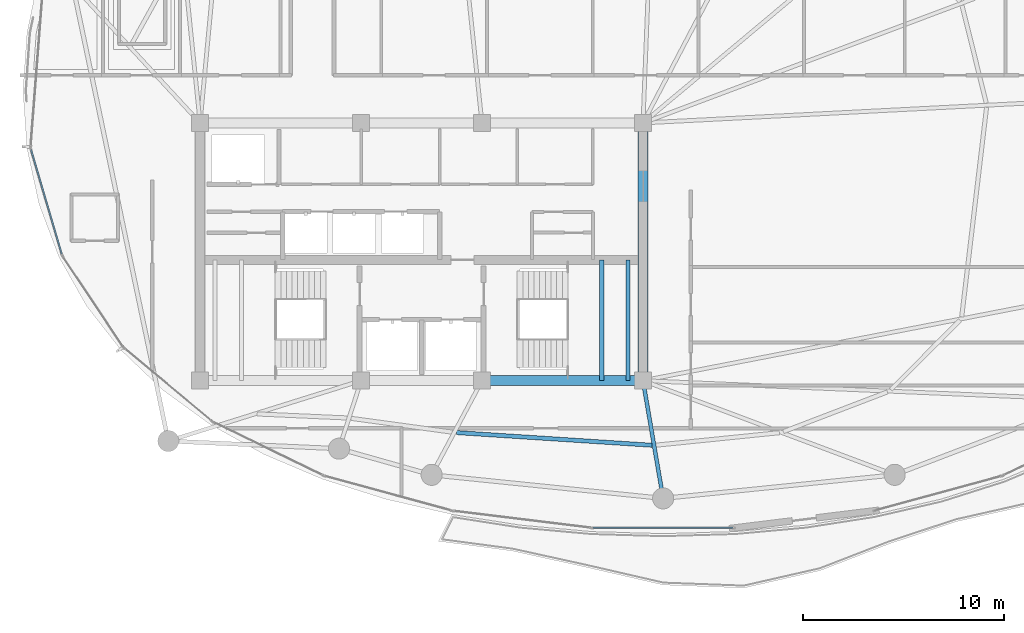
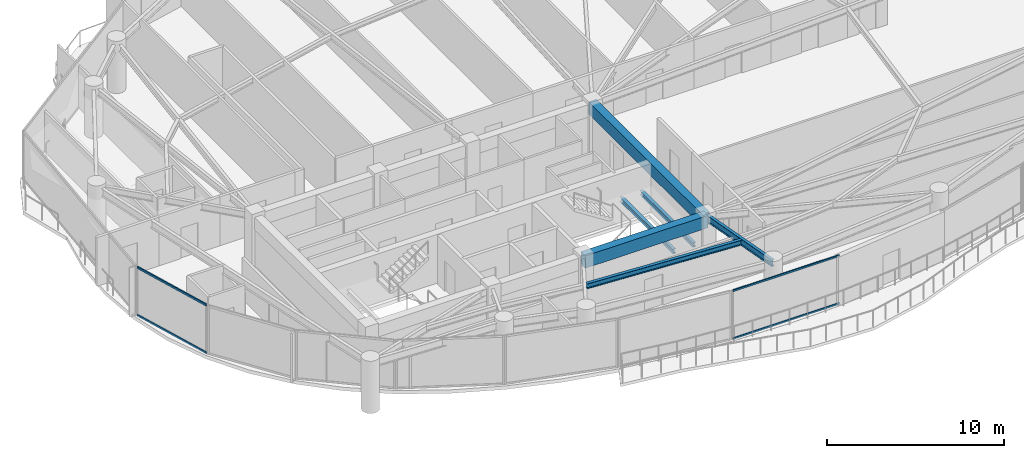
# One storey, part 7 of 31: 6 beams, 4 members, 2 elements without a shape of their own.
"""IFC4 building model written with IfcOpenShell, lengths in metres."""

from ifc_helpers import new_model, si_unit, direction, frame, origin, origin_2d, place, context, subcontext, project, spatial, rectangle, hollow_rectangle, i_section, extrude, material, layer, layer_set, material_profile, profile_set, type_object, element, aggregate, save


model = new_model("IFC4")

# Units and contexts
model_context = context("Model", 3, precision=1e-05, world=origin(), true_north=direction((0.0, 1.0)))
body_context = subcontext(model_context, "Body", "Model", "MODEL_VIEW")
ifc_project = project(units=[si_unit("LENGTHUNIT", "METRE"), si_unit("AREAUNIT", "SQUARE_METRE"), si_unit("VOLUMEUNIT", "CUBIC_METRE"), si_unit("PLANEANGLEUNIT", "RADIAN"), si_unit("MASSUNIT", "GRAM", prefix="KILO")], contexts=[model_context])

# Site, building, storey
site_placement = place(None, origin())
site = spatial("IfcSite", under=ifc_project, at=site_placement, CompositionType="ELEMENT")
building_placement = place(site_placement, origin())
building = spatial("IfcBuilding", under=site, at=building_placement, Name="Kazevale Care Tower and Concert Hall", CompositionType="ELEMENT")
storey_placement = place(building_placement, frame((0.0, 0.0, 202.800048828125)))
storey = spatial("IfcBuildingStorey", under=building, at=storey_placement, Name="L53", CompositionType="ELEMENT", Elevation=202.800048828125)

# Curtain wall, members
ifc_material_1 = material(Name="Aluminium 6063-T6 and Low-E Glass", Category="aluminium")
ifc_layer_1 = layer(ifc_material_1, 0.179931640625)
ifc_layer_set_1 = layer_set([ifc_layer_1], Name="Aluminium 6063-T6 and Low-E Glass")
curtain_wall_type_1 = type_object("IfcCurtainWallType", Name="Waist & Upper Residential Curtain Wall CW-4", PredefinedType="NOTDEFINED", material=ifc_layer_set_1)
curtain_wall_1_placement = place(storey_placement, origin())
curtain_wall_1 = element("IfcCurtainWall", 1, at=curtain_wall_1_placement, inside=storey, type_object=curtain_wall_type_1, Name="cw:L53:f12", PredefinedType="NOTDEFINED")
ifc_material_2 = material(Name="Aluminium 6063-T6", Category="aluminium")
ifc_material_profile_1 = material_profile(ifc_material_2, hollow_rectangle(XDim=0.080078125, YDim=0.139892578125, WallThickness=0.00390625, at=origin_2d()), Name="ALU80x140x4")
ifc_profile_set_1 = profile_set([ifc_material_profile_1], Name="Aluminium 6063-T6")
member_type_1 = type_object("IfcMemberType", Name="CW-4 Transom ALU80x140x4", PredefinedType="USERDEFINED", material=ifc_profile_set_1)
member_1_placement = place(storey_placement, frame((15.12548828125, 29.897705078125, 0.0400390625), z_axis=(-0.282102705943, 0.95938421047, 0.0), x_axis=(-0.95938421047, -0.282102705943, 0.0)))
member_1 = element("IfcMember", 2, at=member_1_placement, type_object=member_type_1, Name="CW-4 transom 1.1", ObjectType="TRANSOM", PredefinedType="USERDEFINED", context=body_context, shape_type="SweptSolid", body=[
    extrude(hollow_rectangle(XDim=0.080078125, YDim=0.139892578125, WallThickness=0.00390625, at=origin_2d()), origin(), (0.0, 0.0, 1.0), 5.402099609375),
])
member_2_placement = place(storey_placement, frame((15.12548828125, 29.897705078125, 3.320068359375), z_axis=(-0.282102705943, 0.95938421047, 0.0), x_axis=(-0.95938421047, -0.282102705943, 0.0)))
member_2 = element("IfcMember", 3, at=member_2_placement, type_object=member_type_1, Name="CW-4 transom 1.2", ObjectType="TRANSOM", PredefinedType="USERDEFINED", context=body_context, shape_type="SweptSolid", body=[
    extrude(hollow_rectangle(XDim=0.080078125, YDim=0.139892578125, WallThickness=0.00390625, at=origin_2d()), origin(), (0.0, 0.0, 1.0), 5.402099609375),
])
aggregate(curtain_wall_1, [member_1, member_2])

ifc_layer_2 = layer(ifc_material_1, 0.179931640625)
ifc_layer_set_2 = layer_set([ifc_layer_2], Name="Aluminium 6063-T6 and Low-E Glass")
curtain_wall_type_2 = type_object("IfcCurtainWallType", Name="Sheltered Concave Balcony Curtain Wall CW-5", PredefinedType="NOTDEFINED", material=ifc_layer_set_2)
curtain_wall_2_placement = place(storey_placement, origin())
curtain_wall_2 = element("IfcCurtainWall", 4, at=curtain_wall_2_placement, inside=storey, type_object=curtain_wall_type_2, Name="cw:L53:f06", PredefinedType="NOTDEFINED")
ifc_material_profile_2 = material_profile(ifc_material_2, hollow_rectangle(XDim=0.074951171875, YDim=0.1201171875, WallThickness=0.00390625, at=origin_2d()), Name="ALU75x120x4")
ifc_profile_set_2 = profile_set([ifc_material_profile_2], Name="Aluminium 6063-T6")
member_type_2 = type_object("IfcMemberType", Name="CW-5 Transom ALU75x120x4", PredefinedType="USERDEFINED", material=ifc_profile_set_2)
member_3_placement = place(storey_placement, frame((48.47509765625, 16.284912109375, 0.037353515625), z_axis=(-1.0, 0.0, 0.0), x_axis=(0.0, -1.0, 0.0)))
member_3 = element("IfcMember", 5, at=member_3_placement, type_object=member_type_2, Name="CW-5 transom 1.1", ObjectType="TRANSOM", PredefinedType="USERDEFINED", context=body_context, shape_type="SweptSolid", body=[
    extrude(hollow_rectangle(XDim=0.074951171875, YDim=0.1201171875, WallThickness=0.00390625, at=origin_2d()), origin(), (0.0, 0.0, 1.0), 6.9501953125),
])
member_4_placement = place(storey_placement, frame((48.47509765625, 16.284912109375, 3.322509765625), z_axis=(-1.0, 0.0, 0.0), x_axis=(0.0, -1.0, 0.0)))
member_4 = element("IfcMember", 6, at=member_4_placement, type_object=member_type_2, Name="CW-5 transom 1.2", ObjectType="TRANSOM", PredefinedType="USERDEFINED", context=body_context, shape_type="SweptSolid", body=[
    extrude(hollow_rectangle(XDim=0.074951171875, YDim=0.1201171875, WallThickness=0.00390625, at=origin_2d()), origin(), (0.0, 0.0, 1.0), 6.9501953125),
])
aggregate(curtain_wall_2, [member_3, member_4])

# Beams
ifc_material_3 = material(Name="Concrete C60", Category="concrete")
ifc_material_profile_3 = material_profile(ifc_material_3, rectangle(XDim=0.5, YDim=0.85009765625, at=origin_2d()), Name="RC-B500x850")
ifc_profile_set_3 = profile_set([ifc_material_profile_3], Name="Concrete C60")
beam_type_1 = type_object("IfcBeamType", Name="Core Coupling Beam RC500x850", PredefinedType="LINTEL", material=ifc_profile_set_3)
beam_1_placement = place(storey_placement, frame((36.0, 23.60009765625, 2.93505859375), z_axis=(1.0, 0.0, 0.0), x_axis=(0.0, 1.0, 0.0)))
element("IfcBeam", 7, at=beam_1_placement, inside=storey, type_object=beam_type_1, Name="beam:L53:coretie:3", PredefinedType="LINTEL", context=body_context, shape_type="SweptSolid", body=[
    extrude(rectangle(XDim=0.5, YDim=0.85009765625, at=origin_2d()), origin(), (0.0, 0.0, 1.0), 8.0),
])
beam_2_placement = place(storey_placement, frame((44.0, 23.60009765625, 2.93505859375), z_axis=(0.0, 1.0, 0.0), x_axis=(-1.0, 0.0, 0.0)))
element("IfcBeam", 8, at=beam_2_placement, inside=storey, type_object=beam_type_1, Name="beam:L53:coretie:4", PredefinedType="LINTEL", context=body_context, shape_type="SweptSolid", body=[
    extrude(rectangle(XDim=0.5, YDim=0.85009765625, at=origin_2d()), origin(), (0.0, 0.0, 1.0), 12.7998046875),
])
ifc_material_4 = material(Name="Steel ASTM A572 Gr 50", Category="steel")
ifc_material_profile_4 = material_profile(ifc_material_4, i_section(OverallWidth=0.19091796875, OverallDepth=0.4599609375, WebThickness=0.010009765625, FlangeThickness=0.01611328125, at=origin_2d()), Name="W460x82")
ifc_profile_set_4 = profile_set([ifc_material_profile_4], Name="Steel ASTM A572 Gr 50")
beam_type_2 = type_object("IfcBeamType", Name="Radial Floor Beam W460x82", PredefinedType="BEAM", material=ifc_profile_set_4)
beam_3_placement = place(storey_placement, frame((44.0, 23.60009765625, 3.1298828125), z_axis=(0.168493389607, -0.985702783631, 0.0), x_axis=(0.985702783631, 0.168493389607, 0.0)))
element("IfcBeam", 9, at=beam_3_placement, inside=storey, type_object=beam_type_2, Name="beam:L53:rad:13", PredefinedType="BEAM", context=body_context, shape_type="SweptSolid", body=[
    extrude(i_section(OverallWidth=0.19091796875, OverallDepth=0.4599609375, WebThickness=0.010009765625, FlangeThickness=0.01611328125, at=origin_2d()), origin(), (0.0, 0.0, 1.0), 5.93505859375),
])
ifc_material_profile_5 = material_profile(ifc_material_4, i_section(OverallWidth=0.205078125, OverallDepth=0.35400390625, WebThickness=0.009521484375, FlangeThickness=0.016845703125, at=origin_2d()), Name="W360x79")
ifc_profile_set_5 = profile_set([ifc_material_profile_5], Name="Steel ASTM A572 Gr 50")
beam_type_3 = type_object("IfcBeamType", Name="Secondary Floor Joist W360x79", PredefinedType="JOIST", material=ifc_profile_set_5)
beam_4_placement = place(storey_placement, frame((34.72998046875, 21.01904296875, 3.182861328125), z_axis=(0.997903161374, -0.064724651559, 0.0), x_axis=(0.064724651559, 0.997903161374, 0.0)))
element("IfcBeam", 10, at=beam_4_placement, inside=storey, type_object=beam_type_3, Name="beam:L53:joist:12", PredefinedType="JOIST", context=body_context, shape_type="SweptSolid", body=[
    extrude(i_section(OverallWidth=0.205078125, OverallDepth=0.35400390625, WebThickness=0.009521484375, FlangeThickness=0.016845703125, at=origin_2d()), origin(), (0.0, 0.0, 1.0), 9.735595703125),
])
ifc_material_profile_6 = material_profile(ifc_material_4, i_section(OverallWidth=0.202880859375, OverallDepth=0.302978515625, WebThickness=0.007568359375, FlangeThickness=0.01318359375, at=origin_2d()), Name="W310x60")
ifc_profile_set_6 = profile_set([ifc_material_profile_6], Name="Steel ASTM A572 Gr 50")
beam_type_4 = type_object("IfcBeamType", Name="Stair & Balcony Trimmer W310x60", PredefinedType="BEAM", material=ifc_profile_set_6)
for number, where, z_axis, x_axis, name in (
    (11, (41.949951171875, 23.60009765625, 1.448486328125), (0.0, 1.0, 0.0), (-1.0, 0.0, 0.0), "beam:L53:sttrim:ST2"),
    (12, (43.25, 23.60009765625, 1.448486328125), (0.0, 1.0, 0.0), (-1.0, 0.0, 0.0), "beam:L53:sttrim:ST2b"),
):
    element("IfcBeam", number, at=place(storey_placement, frame(where, z_axis=z_axis, x_axis=x_axis)), inside=storey, type_object=beam_type_4, Name=name, PredefinedType="BEAM", context=body_context, shape_type="SweptSolid", body=[
        extrude(i_section(OverallWidth=0.202880859375, OverallDepth=0.302978515625, WebThickness=0.007568359375, FlangeThickness=0.01318359375, at=origin_2d()), origin(), (0.0, 0.0, 1.0), 6.0),
    ])

save(model, "model.ifc")
